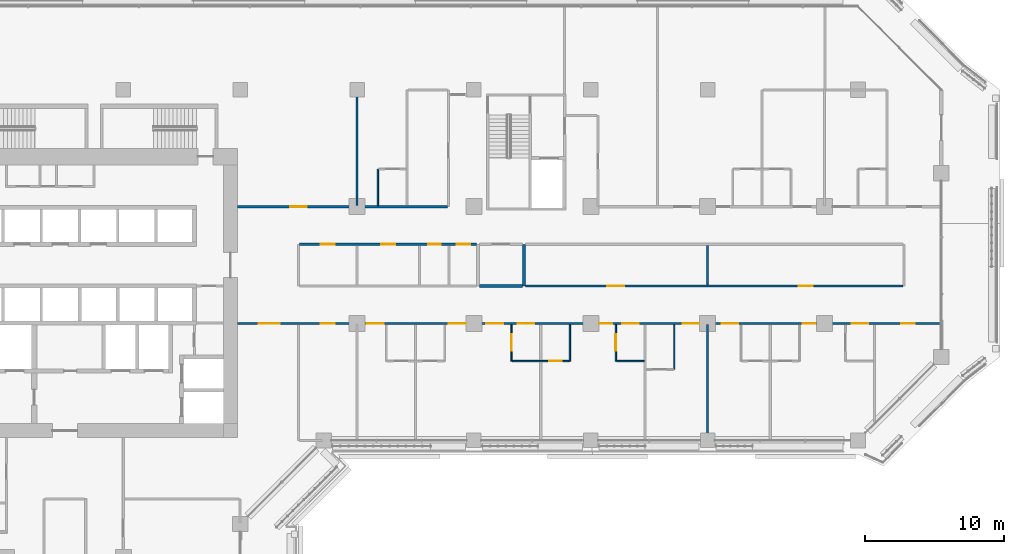
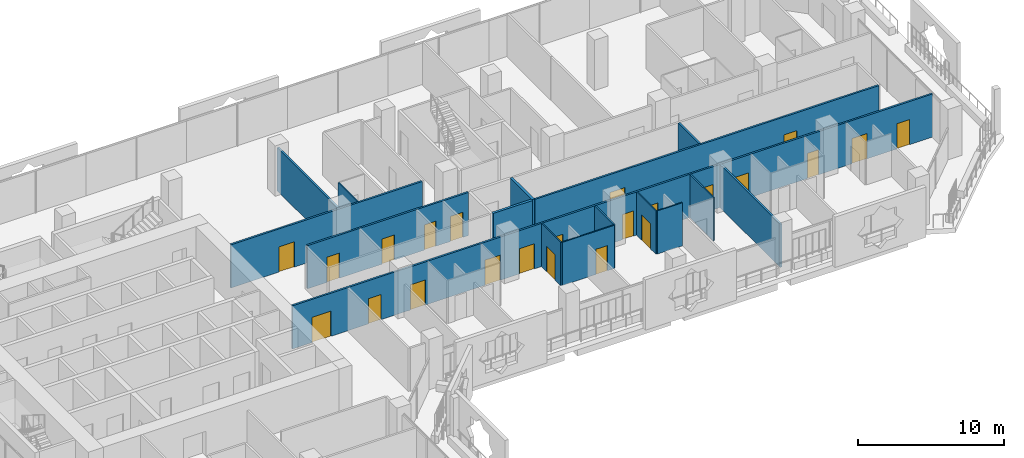
# One storey, part 15 of 26: 23 doors, 16 walls, 23 openings.
"""IFC4 building model written with IfcOpenShell, lengths in metres."""

from ifc_helpers import new_model, si_unit, direction, frame, frame_2d, origin, place, context, subcontext, project, spatial, rectangle, extrude, material, layer, layer_set, type_object, element, fill, save


model = new_model("IFC4")

# Units and contexts
model_context = context("Model", 3, precision=1e-05, world=origin(), true_north=direction((0.0, 1.0)))
body_context = subcontext(model_context, "Body", "Model", "MODEL_VIEW")
ifc_project = project(units=[si_unit("LENGTHUNIT", "METRE"), si_unit("AREAUNIT", "SQUARE_METRE"), si_unit("VOLUMEUNIT", "CUBIC_METRE"), si_unit("PLANEANGLEUNIT", "RADIAN"), si_unit("MASSUNIT", "GRAM", prefix="KILO")], contexts=[model_context])

# Site, building, storey
site_placement = place(None, origin())
site = spatial("IfcSite", under=ifc_project, at=site_placement, CompositionType="ELEMENT")
building_placement = place(site_placement, origin())
building = spatial("IfcBuilding", under=site, at=building_placement, Name="Kawkab Arch Medical Tower", CompositionType="ELEMENT")
storey_placement = place(building_placement, frame((0.0, 0.0, 119.800048828125)))
storey = spatial("IfcBuildingStorey", under=building, at=storey_placement, Name="L27", CompositionType="ELEMENT", Elevation=119.800048828125)

# Wall, opening, door
ifc_material_1 = material(Name="Gypsum board partition on steel studs", Category="steel")
ifc_layer_1 = layer(ifc_material_1, 0.10009765625)
ifc_layer_set_1 = layer_set([ifc_layer_1], Name="Gypsum board partition on steel studs")
wall_type_1 = type_object("IfcWallType", Name="Partition 100", PredefinedType="PARTITIONING", material=ifc_layer_set_1)
wall_1_placement = place(storey_placement, frame((44.75, -19.5, 0.0), z_axis=(0.0, 0.0, 1.0), x_axis=(1.0, 0.0, 0.0)))
wall_1 = element("IfcWall", 1, at=wall_1_placement, inside=storey, type_object=wall_type_1, Name="Partition 100 w007", PredefinedType="PARTITIONING", context=body_context, shape_type="SweptSolid", body=[
    extrude(rectangle(XDim=4.10009765625, YDim=0.10009765625, at=frame_2d((2.050048828125, 0.0))), origin(), (0.0, 0.0, 1.0), 3.599853515625),
])
opening_1_placement = place(wall_1_placement, frame((2.64990234375, 0.0, 0.0)))
opening_1 = element("IfcOpeningElement", 2, at=opening_1_placement, cuts=wall_1, Name="Opening W27-010", PredefinedType="OPENING", context=body_context, shape_type="SweptSolid", body=[
    extrude(rectangle(XDim=0.89990234375, YDim=2.10009765625, at=frame_2d((0.449951171875, 1.050048828125))), frame((0.0, 0.06005859375, 0.0), z_axis=(0.0, -1.0, 0.0), x_axis=(1.0, 0.0, 0.0)), (0.0, 0.0, 1.0), 0.1201171875),
])
ifc_material_2 = material(Name="Timber door leaf", Category="wood")
door_type_1 = type_object("IfcDoorType", Name="Single door 900x2100", OperationType="NOTDEFINED", PredefinedType="DOOR", material=ifc_material_2)
door_1_placement = place(opening_1_placement, origin())
door_1 = element("IfcDoor", 3, at=door_1_placement, inside=storey, type_object=door_type_1, Name="Door W27-010", OperationType="SINGLE_SWING_LEFT", OverallHeight=2.10009765625, OverallWidth=0.89990234375, PredefinedType="DOOR", context=body_context, shape_type="SweptSolid", body=[
    extrude(rectangle(XDim=0.89990234375, YDim=2.10009765625, at=frame_2d((0.449951171875, 1.050048828125))), frame((0.0, 0.02490234375, 0.0), z_axis=(0.0, -1.0, 0.0), x_axis=(1.0, 0.0, 0.0)), (0.0, 0.0, 1.0), 0.050048828125),
])
fill(opening_1, door_1)

# Walls
wall_2_placement = place(storey_placement, frame((52.25, -19.5, 0.0), z_axis=(0.0, 0.0, 1.0), x_axis=(1.0, 0.0, 0.0)))
element("IfcWall", 4, at=wall_2_placement, inside=storey, type_object=wall_type_1, Name="Partition 100 w008", PredefinedType="PARTITIONING", context=body_context, shape_type="SweptSolid", body=[
    extrude(rectangle(XDim=1.97509765625, YDim=0.10009765625, at=frame_2d((0.987548828125, 0.0))), origin(), (0.0, 0.0, 1.0), 3.599853515625),
])
wall_3_placement = place(storey_placement, frame((35.10009765625, -8.324951171875, 0.0), z_axis=(0.0, 0.0, 1.0), x_axis=(0.0, 1.0, 0.0)))
element("IfcWall", 5, at=wall_3_placement, inside=storey, type_object=wall_type_1, Name="Partition 100 w017", PredefinedType="PARTITIONING", context=body_context, shape_type="SweptSolid", body=[
    extrude(rectangle(XDim=2.623046875, YDim=0.10009765625, at=frame_2d((1.3115234375, 0.0))), origin(), (0.0, 0.0, 1.0), 3.599853515625),
])

# Wall, opening, door
wall_4_placement = place(storey_placement, frame((44.699951171875, -19.5, 0.0), z_axis=(0.0, 0.0, 1.0), x_axis=(0.0, 1.0, 0.0)))
wall_4 = element("IfcWall", 6, at=wall_4_placement, inside=storey, type_object=wall_type_1, Name="Partition 100 w020", PredefinedType="PARTITIONING", context=body_context, shape_type="SweptSolid", body=[
    extrude(rectangle(XDim=2.625, YDim=0.10009765625, at=frame_2d((1.3125, 0.0))), origin(), (0.0, 0.0, 1.0), 3.599853515625),
])
opening_2_placement = place(wall_4_placement, frame((0.75, 0.0, 0.0)))
opening_2 = element("IfcOpeningElement", 7, at=opening_2_placement, cuts=wall_4, Name="Opening W27-046", PredefinedType="OPENING", context=body_context, shape_type="SweptSolid", body=[
    extrude(rectangle(XDim=1.199951171875, YDim=2.10009765625, at=frame_2d((0.60009765625, 1.050048828125))), frame((0.0, 0.06005859375, 0.0), z_axis=(0.0, -1.0, 0.0), x_axis=(1.0, 0.0, 0.0)), (0.0, 0.0, 1.0), 0.1201171875),
])
ifc_material_3 = material(Name="Timber door leaf", Category="wood")
door_type_2 = type_object("IfcDoorType", Name="Single door 1200x2100", OperationType="NOTDEFINED", PredefinedType="DOOR", material=ifc_material_3)
door_2_placement = place(opening_2_placement, origin())
door_2 = element("IfcDoor", 8, at=door_2_placement, inside=storey, type_object=door_type_2, Name="Door W27-046", OperationType="SINGLE_SWING_RIGHT", OverallHeight=2.10009765625, OverallWidth=1.199951171875, PredefinedType="DOOR", context=body_context, shape_type="SweptSolid", body=[
    extrude(rectangle(XDim=1.199951171875, YDim=2.10009765625, at=frame_2d((0.60009765625, 1.050048828125))), frame((0.0, 0.02490234375, 0.0), z_axis=(0.0, -1.0, 0.0), x_axis=(1.0, 0.0, 0.0)), (0.0, 0.0, 1.0), 0.050048828125),
])
fill(opening_2, door_2)

# Wall
wall_5_placement = place(storey_placement, frame((48.89990234375, -19.5, 0.0), z_axis=(0.0, 0.0, 1.0), x_axis=(0.0, 1.0, 0.0)))
element("IfcWall", 9, at=wall_5_placement, inside=storey, type_object=wall_type_1, Name="Partition 100 w021", PredefinedType="PARTITIONING", context=body_context, shape_type="SweptSolid", body=[
    extrude(rectangle(XDim=2.625, YDim=0.10009765625, at=frame_2d((1.3125, 0.0))), origin(), (0.0, 0.0, 1.0), 3.599853515625),
])

# Wall, opening, door
wall_6_placement = place(storey_placement, frame((52.199951171875, -19.5, 0.0), z_axis=(0.0, 0.0, 1.0), x_axis=(0.0, 1.0, 0.0)))
wall_6 = element("IfcWall", 10, at=wall_6_placement, inside=storey, type_object=wall_type_1, Name="Partition 100 w022", PredefinedType="PARTITIONING", context=body_context, shape_type="SweptSolid", body=[
    extrude(rectangle(XDim=2.625, YDim=0.10009765625, at=frame_2d((1.3125, 0.0))), origin(), (0.0, 0.0, 1.0), 3.599853515625),
])
opening_3_placement = place(wall_6_placement, frame((0.75, 0.0, 0.0)))
opening_3 = element("IfcOpeningElement", 11, at=opening_3_placement, cuts=wall_6, Name="Opening W27-048", PredefinedType="OPENING", context=body_context, shape_type="SweptSolid", body=[
    extrude(rectangle(XDim=1.199951171875, YDim=2.10009765625, at=frame_2d((0.60009765625, 1.050048828125))), frame((0.0, 0.06005859375, 0.0), z_axis=(0.0, -1.0, 0.0), x_axis=(1.0, 0.0, 0.0)), (0.0, 0.0, 1.0), 0.1201171875),
])
door_3_placement = place(opening_3_placement, origin())
door_3 = element("IfcDoor", 12, at=door_3_placement, inside=storey, type_object=door_type_2, Name="Door W27-048", OperationType="SINGLE_SWING_RIGHT", OverallHeight=2.10009765625, OverallWidth=1.199951171875, PredefinedType="DOOR", context=body_context, shape_type="SweptSolid", body=[
    extrude(rectangle(XDim=1.199951171875, YDim=2.10009765625, at=frame_2d((0.60009765625, 1.050048828125))), frame((0.0, 0.02490234375, 0.0), z_axis=(0.0, -1.0, 0.0), x_axis=(1.0, 0.0, 0.0)), (0.0, 0.0, 1.0), 0.050048828125),
])
fill(opening_3, door_3)

# Wall
wall_7_placement = place(storey_placement, frame((56.39990234375, -20.10009765625, 0.0), z_axis=(0.0, 0.0, 1.0), x_axis=(0.0, 1.0, 0.0)))
element("IfcWall", 13, at=wall_7_placement, inside=storey, type_object=wall_type_1, Name="Partition 100 w023", PredefinedType="PARTITIONING", context=body_context, shape_type="SweptSolid", body=[
    extrude(rectangle(XDim=3.22509765625, YDim=0.10009765625, at=frame_2d((1.612548828125, 0.0))), origin(), (0.0, 0.0, 1.0), 3.599853515625),
])

# Wall, openings, doors
ifc_material_4 = material(Name="Gypsum board partition on steel studs, mineral wool", Category="steel")
ifc_layer_2 = layer(ifc_material_4, 0.14990234375)
ifc_layer_set_2 = layer_set([ifc_layer_2], Name="Gypsum board partition on steel studs, mineral wool")
wall_type_2 = type_object("IfcWallType", Name="Partition 150", PredefinedType="PARTITIONING", material=ifc_layer_set_2)
wall_8_placement = place(storey_placement, frame((25.0, -16.800048828125, 0.0), z_axis=(0.0, 0.0, 1.0), x_axis=(1.0, 0.0, 0.0)))
wall_8 = element("IfcWall", 14, at=wall_8_placement, inside=storey, type_object=wall_type_2, Name="Partition 150 w046", PredefinedType="PARTITIONING", context=body_context, shape_type="SweptSolid", body=[
    extrude(rectangle(XDim=50.52001953125, YDim=0.14990234375, at=frame_2d((25.260009765625, 0.0))), origin(), (0.0, 0.0, 1.0), 3.599853515625),
])
opening_4_placement = place(wall_8_placement, frame((1.550048828125, 0.0, 0.0)))
opening_4 = element("IfcOpeningElement", 15, at=opening_4_placement, cuts=wall_8, Name="Opening W27-001", PredefinedType="OPENING", context=body_context, shape_type="SweptSolid", body=[
    extrude(rectangle(XDim=1.5, YDim=2.10009765625, at=frame_2d((0.75, 1.050048828125))), frame((0.0, 0.0849609375, 0.0), z_axis=(0.0, -1.0, 0.0), x_axis=(1.0, 0.0, 0.0)), (0.0, 0.0, 1.0), 0.169921875),
])
opening_5_placement = place(wall_8_placement, frame((6.0, 0.0, 0.0)))
opening_5 = element("IfcOpeningElement", 16, at=opening_5_placement, cuts=wall_8, Name="Opening W27-028", PredefinedType="OPENING", context=body_context, shape_type="SweptSolid", body=[
    extrude(rectangle(XDim=1.0, YDim=2.10009765625, at=frame_2d((0.5, 1.050048828125))), frame((0.0, 0.0849609375, 0.0), z_axis=(0.0, -1.0, 0.0), x_axis=(1.0, 0.0, 0.0)), (0.0, 0.0, 1.0), 0.169921875),
])
opening_6_placement = place(wall_8_placement, frame((9.300048828125, 0.0, 0.0)))
opening_6 = element("IfcOpeningElement", 17, at=opening_6_placement, cuts=wall_8, Name="Opening W27-042", PredefinedType="OPENING", context=body_context, shape_type="SweptSolid", body=[
    extrude(rectangle(XDim=1.199951171875, YDim=2.10009765625, at=frame_2d((0.60009765625, 1.050048828125))), frame((0.0, 0.0849609375, 0.0), z_axis=(0.0, -1.0, 0.0), x_axis=(1.0, 0.0, 0.0)), (0.0, 0.0, 1.0), 0.169921875),
])
opening_7_placement = place(wall_8_placement, frame((17.89990234375, 0.0, 0.0)))
opening_7 = element("IfcOpeningElement", 18, at=opening_7_placement, cuts=wall_8, Name="Opening W27-043", PredefinedType="OPENING", context=body_context, shape_type="SweptSolid", body=[
    extrude(rectangle(XDim=1.199951171875, YDim=2.10009765625, at=frame_2d((0.60009765625, 1.050048828125))), frame((0.0, 0.0849609375, 0.0), z_axis=(0.0, -1.0, 0.0), x_axis=(1.0, 0.0, 0.0)), (0.0, 0.0, 1.0), 0.169921875),
])
opening_8_placement = place(wall_8_placement, frame((15.199951171875, 0.0, 0.0)))
opening_8 = element("IfcOpeningElement", 19, at=opening_8_placement, cuts=wall_8, Name="Opening W27-044", PredefinedType="OPENING", context=body_context, shape_type="SweptSolid", body=[
    extrude(rectangle(XDim=1.199951171875, YDim=2.10009765625, at=frame_2d((0.60009765625, 1.050048828125))), frame((0.0, 0.0849609375, 0.0), z_axis=(0.0, -1.0, 0.0), x_axis=(1.0, 0.0, 0.0)), (0.0, 0.0, 1.0), 0.169921875),
])
opening_9_placement = place(wall_8_placement, frame((20.14990234375, 0.0, 0.0)))
opening_9 = element("IfcOpeningElement", 20, at=opening_9_placement, cuts=wall_8, Name="Opening W27-045", PredefinedType="OPENING", context=body_context, shape_type="SweptSolid", body=[
    extrude(rectangle(XDim=1.199951171875, YDim=2.10009765625, at=frame_2d((0.60009765625, 1.050048828125))), frame((0.0, 0.0849609375, 0.0), z_axis=(0.0, -1.0, 0.0), x_axis=(1.0, 0.0, 0.0)), (0.0, 0.0, 1.0), 0.169921875),
])
opening_10_placement = place(wall_8_placement, frame((26.02490234375, 0.0, 0.0)))
opening_10 = element("IfcOpeningElement", 21, at=opening_10_placement, cuts=wall_8, Name="Opening W27-020", PredefinedType="OPENING", context=body_context, shape_type="SweptSolid", body=[
    extrude(rectangle(XDim=0.89990234375, YDim=2.10009765625, at=frame_2d((0.449951171875, 1.050048828125))), frame((0.0, 0.0849609375, 0.0), z_axis=(0.0, -1.0, 0.0), x_axis=(1.0, 0.0, 0.0)), (0.0, 0.0, 1.0), 0.169921875),
])
opening_11_placement = place(wall_8_placement, frame((27.64990234375, 0.0, 0.0)))
opening_11 = element("IfcOpeningElement", 22, at=opening_11_placement, cuts=wall_8, Name="Opening W27-047", PredefinedType="OPENING", context=body_context, shape_type="SweptSolid", body=[
    extrude(rectangle(XDim=1.199951171875, YDim=2.10009765625, at=frame_2d((0.60009765625, 1.050048828125))), frame((0.0, 0.0849609375, 0.0), z_axis=(0.0, -1.0, 0.0), x_axis=(1.0, 0.0, 0.0)), (0.0, 0.0, 1.0), 0.169921875),
])
opening_12_placement = place(wall_8_placement, frame((32.0, 0.0, 0.0)))
opening_12 = element("IfcOpeningElement", 23, at=opening_12_placement, cuts=wall_8, Name="Opening W27-049", PredefinedType="OPENING", context=body_context, shape_type="SweptSolid", body=[
    extrude(rectangle(XDim=1.199951171875, YDim=2.10009765625, at=frame_2d((0.60009765625, 1.050048828125))), frame((0.0, 0.0849609375, 0.0), z_axis=(0.0, -1.0, 0.0), x_axis=(1.0, 0.0, 0.0)), (0.0, 0.0, 1.0), 0.169921875),
])
opening_13_placement = place(wall_8_placement, frame((34.800048828125, 0.0, 0.0)))
opening_13 = element("IfcOpeningElement", 24, at=opening_13_placement, cuts=wall_8, Name="Opening W27-050", PredefinedType="OPENING", context=body_context, shape_type="SweptSolid", body=[
    extrude(rectangle(XDim=1.199951171875, YDim=2.10009765625, at=frame_2d((0.60009765625, 1.050048828125))), frame((0.0, 0.0849609375, 0.0), z_axis=(0.0, -1.0, 0.0), x_axis=(1.0, 0.0, 0.0)), (0.0, 0.0, 1.0), 0.169921875),
])
opening_14_placement = place(wall_8_placement, frame((40.625, 0.0, 0.0)))
opening_14 = element("IfcOpeningElement", 25, at=opening_14_placement, cuts=wall_8, Name="Opening W27-021", PredefinedType="OPENING", context=body_context, shape_type="SweptSolid", body=[
    extrude(rectangle(XDim=0.89990234375, YDim=2.10009765625, at=frame_2d((0.449951171875, 1.050048828125))), frame((0.0, 0.0849609375, 0.0), z_axis=(0.0, -1.0, 0.0), x_axis=(1.0, 0.0, 0.0)), (0.0, 0.0, 1.0), 0.169921875),
])
opening_15_placement = place(wall_8_placement, frame((44.14990234375, 0.0, 0.0)))
opening_15 = element("IfcOpeningElement", 26, at=opening_15_placement, cuts=wall_8, Name="Opening W27-051", PredefinedType="OPENING", context=body_context, shape_type="SweptSolid", body=[
    extrude(rectangle(XDim=1.199951171875, YDim=2.10009765625, at=frame_2d((0.60009765625, 1.050048828125))), frame((0.0, 0.0849609375, 0.0), z_axis=(0.0, -1.0, 0.0), x_axis=(1.0, 0.0, 0.0)), (0.0, 0.0, 1.0), 0.169921875),
])
opening_16_placement = place(wall_8_placement, frame((47.699951171875, 0.0, 0.0)))
opening_16 = element("IfcOpeningElement", 27, at=opening_16_placement, cuts=wall_8, Name="Opening W27-029", PredefinedType="OPENING", context=body_context, shape_type="SweptSolid", body=[
    extrude(rectangle(XDim=1.0, YDim=2.10009765625, at=frame_2d((0.5, 1.050048828125))), frame((0.0, 0.0849609375, 0.0), z_axis=(0.0, -1.0, 0.0), x_axis=(1.0, 0.0, 0.0)), (0.0, 0.0, 1.0), 0.169921875),
])
ifc_material_5 = material(Name="Hollow metal door leaf")
door_type_3 = type_object("IfcDoorType", Name="Double door 1500x2100 FD30S", OperationType="NOTDEFINED", PredefinedType="DOOR", material=ifc_material_5)
door_4_placement = place(opening_4_placement, origin())
door_4 = element("IfcDoor", 28, at=door_4_placement, inside=storey, type_object=door_type_3, Name="Door W27-001", OperationType="DOUBLE_DOOR_SINGLE_SWING", OverallHeight=2.10009765625, OverallWidth=1.5, PredefinedType="DOOR", context=body_context, shape_type="SweptSolid", body=[
    extrude(rectangle(XDim=1.5, YDim=2.10009765625, at=frame_2d((0.75, 1.050048828125))), frame((0.0, 0.02490234375, 0.0), z_axis=(0.0, -1.0, 0.0), x_axis=(1.0, 0.0, 0.0)), (0.0, 0.0, 1.0), 0.050048828125),
])
fill(opening_4, door_4)
ifc_material_6 = material(Name="Hollow metal door leaf")
door_type_4 = type_object("IfcDoorType", Name="Single door 1000x2100 FD30S", OperationType="NOTDEFINED", PredefinedType="DOOR", material=ifc_material_6)
door_5_placement = place(opening_5_placement, origin())
door_5 = element("IfcDoor", 29, at=door_5_placement, inside=storey, type_object=door_type_4, Name="Door W27-028", OperationType="SINGLE_SWING_RIGHT", OverallHeight=2.10009765625, OverallWidth=1.0, PredefinedType="DOOR", context=body_context, shape_type="SweptSolid", body=[
    extrude(rectangle(XDim=1.0, YDim=2.10009765625, at=frame_2d((0.5, 1.050048828125))), frame((0.0, 0.02490234375, 0.0), z_axis=(0.0, -1.0, 0.0), x_axis=(1.0, 0.0, 0.0)), (0.0, 0.0, 1.0), 0.050048828125),
])
fill(opening_5, door_5)
door_6_placement = place(opening_16_placement, origin())
door_6 = element("IfcDoor", 30, at=door_6_placement, inside=storey, type_object=door_type_4, Name="Door W27-029", OperationType="SINGLE_SWING_LEFT", OverallHeight=2.10009765625, OverallWidth=1.0, PredefinedType="DOOR", context=body_context, shape_type="SweptSolid", body=[
    extrude(rectangle(XDim=1.0, YDim=2.10009765625, at=frame_2d((0.5, 1.050048828125))), frame((0.0, 0.02490234375, 0.0), z_axis=(0.0, -1.0, 0.0), x_axis=(1.0, 0.0, 0.0)), (0.0, 0.0, 1.0), 0.050048828125),
])
fill(opening_16, door_6)
ifc_material_7 = material(Name="Hollow metal door leaf")
door_type_5 = type_object("IfcDoorType", Name="Single door 1200x2100 FD30S", OperationType="NOTDEFINED", PredefinedType="DOOR", material=ifc_material_7)
door_7_placement = place(opening_6_placement, origin())
door_7 = element("IfcDoor", 31, at=door_7_placement, inside=storey, type_object=door_type_5, Name="Door W27-042", OperationType="SINGLE_SWING_RIGHT", OverallHeight=2.10009765625, OverallWidth=1.199951171875, PredefinedType="DOOR", context=body_context, shape_type="SweptSolid", body=[
    extrude(rectangle(XDim=1.199951171875, YDim=2.10009765625, at=frame_2d((0.60009765625, 1.050048828125))), frame((0.0, 0.02490234375, 0.0), z_axis=(0.0, -1.0, 0.0), x_axis=(1.0, 0.0, 0.0)), (0.0, 0.0, 1.0), 0.050048828125),
])
fill(opening_6, door_7)
door_8_placement = place(opening_7_placement, origin())
door_8 = element("IfcDoor", 32, at=door_8_placement, inside=storey, type_object=door_type_5, Name="Door W27-043", OperationType="SINGLE_SWING_RIGHT", OverallHeight=2.10009765625, OverallWidth=1.199951171875, PredefinedType="DOOR", context=body_context, shape_type="SweptSolid", body=[
    extrude(rectangle(XDim=1.199951171875, YDim=2.10009765625, at=frame_2d((0.60009765625, 1.050048828125))), frame((0.0, 0.02490234375, 0.0), z_axis=(0.0, -1.0, 0.0), x_axis=(1.0, 0.0, 0.0)), (0.0, 0.0, 1.0), 0.050048828125),
])
fill(opening_7, door_8)
door_9_placement = place(opening_8_placement, origin())
door_9 = element("IfcDoor", 33, at=door_9_placement, inside=storey, type_object=door_type_5, Name="Door W27-044", OperationType="SINGLE_SWING_RIGHT", OverallHeight=2.10009765625, OverallWidth=1.199951171875, PredefinedType="DOOR", context=body_context, shape_type="SweptSolid", body=[
    extrude(rectangle(XDim=1.199951171875, YDim=2.10009765625, at=frame_2d((0.60009765625, 1.050048828125))), frame((0.0, 0.02490234375, 0.0), z_axis=(0.0, -1.0, 0.0), x_axis=(1.0, 0.0, 0.0)), (0.0, 0.0, 1.0), 0.050048828125),
])
fill(opening_8, door_9)
door_10_placement = place(opening_9_placement, origin())
door_10 = element("IfcDoor", 34, at=door_10_placement, inside=storey, type_object=door_type_5, Name="Door W27-045", OperationType="SINGLE_SWING_RIGHT", OverallHeight=2.10009765625, OverallWidth=1.199951171875, PredefinedType="DOOR", context=body_context, shape_type="SweptSolid", body=[
    extrude(rectangle(XDim=1.199951171875, YDim=2.10009765625, at=frame_2d((0.60009765625, 1.050048828125))), frame((0.0, 0.02490234375, 0.0), z_axis=(0.0, -1.0, 0.0), x_axis=(1.0, 0.0, 0.0)), (0.0, 0.0, 1.0), 0.050048828125),
])
fill(opening_9, door_10)
door_11_placement = place(opening_11_placement, origin())
door_11 = element("IfcDoor", 35, at=door_11_placement, inside=storey, type_object=door_type_5, Name="Door W27-047", OperationType="SINGLE_SWING_LEFT", OverallHeight=2.10009765625, OverallWidth=1.199951171875, PredefinedType="DOOR", context=body_context, shape_type="SweptSolid", body=[
    extrude(rectangle(XDim=1.199951171875, YDim=2.10009765625, at=frame_2d((0.60009765625, 1.050048828125))), frame((0.0, 0.02490234375, 0.0), z_axis=(0.0, -1.0, 0.0), x_axis=(1.0, 0.0, 0.0)), (0.0, 0.0, 1.0), 0.050048828125),
])
fill(opening_11, door_11)
door_12_placement = place(opening_12_placement, origin())
door_12 = element("IfcDoor", 36, at=door_12_placement, inside=storey, type_object=door_type_5, Name="Door W27-049", OperationType="SINGLE_SWING_LEFT", OverallHeight=2.10009765625, OverallWidth=1.199951171875, PredefinedType="DOOR", context=body_context, shape_type="SweptSolid", body=[
    extrude(rectangle(XDim=1.199951171875, YDim=2.10009765625, at=frame_2d((0.60009765625, 1.050048828125))), frame((0.0, 0.02490234375, 0.0), z_axis=(0.0, -1.0, 0.0), x_axis=(1.0, 0.0, 0.0)), (0.0, 0.0, 1.0), 0.050048828125),
])
fill(opening_12, door_12)
door_13_placement = place(opening_13_placement, origin())
door_13 = element("IfcDoor", 37, at=door_13_placement, inside=storey, type_object=door_type_5, Name="Door W27-050", OperationType="SINGLE_SWING_LEFT", OverallHeight=2.10009765625, OverallWidth=1.199951171875, PredefinedType="DOOR", context=body_context, shape_type="SweptSolid", body=[
    extrude(rectangle(XDim=1.199951171875, YDim=2.10009765625, at=frame_2d((0.60009765625, 1.050048828125))), frame((0.0, 0.02490234375, 0.0), z_axis=(0.0, -1.0, 0.0), x_axis=(1.0, 0.0, 0.0)), (0.0, 0.0, 1.0), 0.050048828125),
])
fill(opening_13, door_13)
door_14_placement = place(opening_15_placement, origin())
door_14 = element("IfcDoor", 38, at=door_14_placement, inside=storey, type_object=door_type_5, Name="Door W27-051", OperationType="SINGLE_SWING_LEFT", OverallHeight=2.10009765625, OverallWidth=1.199951171875, PredefinedType="DOOR", context=body_context, shape_type="SweptSolid", body=[
    extrude(rectangle(XDim=1.199951171875, YDim=2.10009765625, at=frame_2d((0.60009765625, 1.050048828125))), frame((0.0, 0.02490234375, 0.0), z_axis=(0.0, -1.0, 0.0), x_axis=(1.0, 0.0, 0.0)), (0.0, 0.0, 1.0), 0.050048828125),
])
fill(opening_15, door_14)
ifc_material_8 = material(Name="Hollow metal door leaf")
door_type_6 = type_object("IfcDoorType", Name="Single door 900x2100 FD30S", OperationType="NOTDEFINED", PredefinedType="DOOR", material=ifc_material_8)
door_15_placement = place(opening_10_placement, origin())
door_15 = element("IfcDoor", 39, at=door_15_placement, inside=storey, type_object=door_type_6, Name="Door W27-020", OperationType="SINGLE_SWING_LEFT", OverallHeight=2.10009765625, OverallWidth=0.89990234375, PredefinedType="DOOR", context=body_context, shape_type="SweptSolid", body=[
    extrude(rectangle(XDim=0.89990234375, YDim=2.10009765625, at=frame_2d((0.449951171875, 1.050048828125))), frame((0.0, 0.02490234375, 0.0), z_axis=(0.0, -1.0, 0.0), x_axis=(1.0, 0.0, 0.0)), (0.0, 0.0, 1.0), 0.050048828125),
])
fill(opening_10, door_15)
door_16_placement = place(opening_14_placement, origin())
door_16 = element("IfcDoor", 40, at=door_16_placement, inside=storey, type_object=door_type_6, Name="Door W27-021", OperationType="SINGLE_SWING_LEFT", OverallHeight=2.10009765625, OverallWidth=0.89990234375, PredefinedType="DOOR", context=body_context, shape_type="SweptSolid", body=[
    extrude(rectangle(XDim=0.89990234375, YDim=2.10009765625, at=frame_2d((0.449951171875, 1.050048828125))), frame((0.0, 0.02490234375, 0.0), z_axis=(0.0, -1.0, 0.0), x_axis=(1.0, 0.0, 0.0)), (0.0, 0.0, 1.0), 0.050048828125),
])
fill(opening_14, door_16)

wall_9_placement = place(storey_placement, frame((45.699951171875, -14.10009765625, 0.0), z_axis=(0.0, 0.0, 1.0), x_axis=(1.0, 0.0, 0.0)))
wall_9 = element("IfcWall", 41, at=wall_9_placement, inside=storey, type_object=wall_type_2, Name="Partition 150 w048", PredefinedType="PARTITIONING", context=body_context, shape_type="SweptSolid", body=[
    extrude(rectangle(XDim=27.125, YDim=0.14990234375, at=frame_2d((13.5625, 0.0))), origin(), (0.0, 0.0, 1.0), 3.599853515625),
])
opening_17_placement = place(wall_9_placement, frame((5.89990234375, 0.0, 0.0)))
opening_17 = element("IfcOpeningElement", 42, at=opening_17_placement, cuts=wall_9, Name="Opening W27-041", PredefinedType="OPENING", context=body_context, shape_type="SweptSolid", body=[
    extrude(rectangle(XDim=1.199951171875, YDim=2.10009765625, at=frame_2d((0.60009765625, 1.050048828125))), frame((0.0, 0.0849609375, 0.0), z_axis=(0.0, -1.0, 0.0), x_axis=(1.0, 0.0, 0.0)), (0.0, 0.0, 1.0), 0.169921875),
])
opening_18_placement = place(wall_9_placement, frame((19.64990234375, 0.0, 0.0)))
opening_18 = element("IfcOpeningElement", 43, at=opening_18_placement, cuts=wall_9, Name="Opening W27-027", PredefinedType="OPENING", context=body_context, shape_type="SweptSolid", body=[
    extrude(rectangle(XDim=1.0, YDim=2.10009765625, at=frame_2d((0.5, 1.050048828125))), frame((0.0, 0.0849609375, 0.0), z_axis=(0.0, -1.0, 0.0), x_axis=(1.0, 0.0, 0.0)), (0.0, 0.0, 1.0), 0.169921875),
])
door_17_placement = place(opening_18_placement, origin())
door_17 = element("IfcDoor", 44, at=door_17_placement, inside=storey, type_object=door_type_4, Name="Door W27-027", OperationType="SINGLE_SWING_RIGHT", OverallHeight=2.10009765625, OverallWidth=1.0, PredefinedType="DOOR", context=body_context, shape_type="SweptSolid", body=[
    extrude(rectangle(XDim=1.0, YDim=2.10009765625, at=frame_2d((0.5, 1.050048828125))), frame((0.0, 0.02490234375, 0.0), z_axis=(0.0, -1.0, 0.0), x_axis=(1.0, 0.0, 0.0)), (0.0, 0.0, 1.0), 0.050048828125),
])
fill(opening_18, door_17)
door_18_placement = place(opening_17_placement, origin())
door_18 = element("IfcDoor", 45, at=door_18_placement, inside=storey, type_object=door_type_5, Name="Door W27-041", OperationType="SINGLE_SWING_LEFT", OverallHeight=2.10009765625, OverallWidth=1.199951171875, PredefinedType="DOOR", context=body_context, shape_type="SweptSolid", body=[
    extrude(rectangle(XDim=1.199951171875, YDim=2.10009765625, at=frame_2d((0.60009765625, 1.050048828125))), frame((0.0, 0.02490234375, 0.0), z_axis=(0.0, -1.0, 0.0), x_axis=(1.0, 0.0, 0.0)), (0.0, 0.0, 1.0), 0.050048828125),
])
fill(opening_17, door_18)

wall_10_placement = place(storey_placement, frame((29.47509765625, -11.10009765625, 0.0), z_axis=(0.0, 0.0, 1.0), x_axis=(1.0, 0.0, 0.0)))
wall_10 = element("IfcWall", 46, at=wall_10_placement, inside=storey, type_object=wall_type_2, Name="Partition 150 w049", PredefinedType="PARTITIONING", context=body_context, shape_type="SweptSolid", body=[
    extrude(rectangle(XDim=12.724853515625, YDim=0.14990234375, at=frame_2d((6.3623046875, 0.0))), origin(), (0.0, 0.0, 1.0), 3.599853515625),
])
opening_19_placement = place(wall_10_placement, frame((1.52490234375, 0.0, 0.0)))
opening_19 = element("IfcOpeningElement", 47, at=opening_19_placement, cuts=wall_10, Name="Opening W27-026", PredefinedType="OPENING", context=body_context, shape_type="SweptSolid", body=[
    extrude(rectangle(XDim=1.0, YDim=2.10009765625, at=frame_2d((0.5, 1.050048828125))), frame((0.0, 0.0849609375, 0.0), z_axis=(0.0, -1.0, 0.0), x_axis=(1.0, 0.0, 0.0)), (0.0, 0.0, 1.0), 0.169921875),
])
opening_20_placement = place(wall_10_placement, frame((9.22509765625, 0.0, 0.0)))
opening_20 = element("IfcOpeningElement", 48, at=opening_20_placement, cuts=wall_10, Name="Opening W27-017", PredefinedType="OPENING", context=body_context, shape_type="SweptSolid", body=[
    extrude(rectangle(XDim=0.89990234375, YDim=2.10009765625, at=frame_2d((0.449951171875, 1.050048828125))), frame((0.0, 0.0849609375, 0.0), z_axis=(0.0, -1.0, 0.0), x_axis=(1.0, 0.0, 0.0)), (0.0, 0.0, 1.0), 0.169921875),
])
opening_21_placement = place(wall_10_placement, frame((11.27490234375, 0.0, 0.0)))
opening_21 = element("IfcOpeningElement", 49, at=opening_21_placement, cuts=wall_10, Name="Opening W27-022", PredefinedType="OPENING", context=body_context, shape_type="SweptSolid", body=[
    extrude(rectangle(XDim=1.0, YDim=2.10009765625, at=frame_2d((0.5, 1.050048828125))), frame((0.0, 0.0849609375, 0.0), z_axis=(0.0, -1.0, 0.0), x_axis=(1.0, 0.0, 0.0)), (0.0, 0.0, 1.0), 0.169921875),
])
opening_22_placement = place(wall_10_placement, frame((5.875, 0.0, 0.0)))
opening_22 = element("IfcOpeningElement", 50, at=opening_22_placement, cuts=wall_10, Name="Opening W27-036", PredefinedType="OPENING", context=body_context, shape_type="SweptSolid", body=[
    extrude(rectangle(XDim=1.0, YDim=2.10009765625, at=frame_2d((0.5, 1.050048828125))), frame((0.0, 0.0849609375, 0.0), z_axis=(0.0, -1.0, 0.0), x_axis=(1.0, 0.0, 0.0)), (0.0, 0.0, 1.0), 0.169921875),
])
ifc_material_9 = material(Name="Timber door leaf", Category="wood")
door_type_7 = type_object("IfcDoorType", Name="Single door 1000x2100", OperationType="NOTDEFINED", PredefinedType="DOOR", material=ifc_material_9)
door_19_placement = place(opening_21_placement, origin())
door_19 = element("IfcDoor", 51, at=door_19_placement, inside=storey, type_object=door_type_7, Name="Door W27-022", OperationType="SINGLE_SWING_LEFT", OverallHeight=2.10009765625, OverallWidth=1.0, PredefinedType="DOOR", context=body_context, shape_type="SweptSolid", body=[
    extrude(rectangle(XDim=1.0, YDim=2.10009765625, at=frame_2d((0.5, 1.050048828125))), frame((0.0, 0.02490234375, 0.0), z_axis=(0.0, -1.0, 0.0), x_axis=(1.0, 0.0, 0.0)), (0.0, 0.0, 1.0), 0.050048828125),
])
fill(opening_21, door_19)
door_20_placement = place(opening_19_placement, origin())
door_20 = element("IfcDoor", 52, at=door_20_placement, inside=storey, type_object=door_type_4, Name="Door W27-026", OperationType="SINGLE_SWING_RIGHT", OverallHeight=2.10009765625, OverallWidth=1.0, PredefinedType="DOOR", context=body_context, shape_type="SweptSolid", body=[
    extrude(rectangle(XDim=1.0, YDim=2.10009765625, at=frame_2d((0.5, 1.050048828125))), frame((0.0, 0.02490234375, 0.0), z_axis=(0.0, -1.0, 0.0), x_axis=(1.0, 0.0, 0.0)), (0.0, 0.0, 1.0), 0.050048828125),
])
fill(opening_19, door_20)
door_21_placement = place(opening_22_placement, origin())
door_21 = element("IfcDoor", 53, at=door_21_placement, inside=storey, type_object=door_type_4, Name="Door W27-036", OperationType="SINGLE_SWING_LEFT", OverallHeight=2.10009765625, OverallWidth=1.0, PredefinedType="DOOR", context=body_context, shape_type="SweptSolid", body=[
    extrude(rectangle(XDim=1.0, YDim=2.10009765625, at=frame_2d((0.5, 1.050048828125))), frame((0.0, 0.02490234375, 0.0), z_axis=(0.0, -1.0, 0.0), x_axis=(1.0, 0.0, 0.0)), (0.0, 0.0, 1.0), 0.050048828125),
])
fill(opening_22, door_21)
door_22_placement = place(opening_20_placement, origin())
door_22 = element("IfcDoor", 54, at=door_22_placement, inside=storey, type_object=door_type_1, Name="Door W27-017", OperationType="SINGLE_SWING_LEFT", OverallHeight=2.10009765625, OverallWidth=0.89990234375, PredefinedType="DOOR", context=body_context, shape_type="SweptSolid", body=[
    extrude(rectangle(XDim=0.89990234375, YDim=2.10009765625, at=frame_2d((0.449951171875, 1.050048828125))), frame((0.0, 0.02490234375, 0.0), z_axis=(0.0, -1.0, 0.0), x_axis=(1.0, 0.0, 0.0)), (0.0, 0.0, 1.0), 0.050048828125),
])
fill(opening_20, door_22)

# Wall, opening, door
wall_11_placement = place(storey_placement, frame((25.0, -8.39990234375, 0.0), z_axis=(0.0, 0.0, 1.0), x_axis=(1.0, 0.0, 0.0)))
wall_11 = element("IfcWall", 55, at=wall_11_placement, inside=storey, type_object=wall_type_2, Name="Partition 150 w051", PredefinedType="PARTITIONING", context=body_context, shape_type="SweptSolid", body=[
    extrude(rectangle(XDim=15.10693359375, YDim=0.14990234375, at=frame_2d((7.553466796875, 0.0))), origin(), (0.0, 0.0, 1.0), 3.599853515625),
])
opening_23_placement = place(wall_11_placement, frame((3.800048828125, 0.0, 0.0)))
opening_23 = element("IfcOpeningElement", 56, at=opening_23_placement, cuts=wall_11, Name="Opening W27-037", PredefinedType="OPENING", context=body_context, shape_type="SweptSolid", body=[
    extrude(rectangle(XDim=1.199951171875, YDim=2.10009765625, at=frame_2d((0.60009765625, 1.050048828125))), frame((0.0, 0.0849609375, 0.0), z_axis=(0.0, -1.0, 0.0), x_axis=(1.0, 0.0, 0.0)), (0.0, 0.0, 1.0), 0.169921875),
])
door_23_placement = place(opening_23_placement, origin())
door_23 = element("IfcDoor", 57, at=door_23_placement, inside=storey, type_object=door_type_5, Name="Door W27-037", OperationType="SINGLE_SWING_LEFT", OverallHeight=2.10009765625, OverallWidth=1.199951171875, PredefinedType="DOOR", context=body_context, shape_type="SweptSolid", body=[
    extrude(rectangle(XDim=1.199951171875, YDim=2.10009765625, at=frame_2d((0.60009765625, 1.050048828125))), frame((0.0, 0.02490234375, 0.0), z_axis=(0.0, -1.0, 0.0), x_axis=(1.0, 0.0, 0.0)), (0.0, 0.0, 1.0), 0.050048828125),
])
fill(opening_23, door_23)

# Walls
wall_12_placement = place(storey_placement, frame((33.60009765625, -8.324951171875, 0.0), z_axis=(0.0, 0.0, 1.0), x_axis=(0.0, 1.0, 0.0)))
element("IfcWall", 58, at=wall_12_placement, inside=storey, type_object=wall_type_2, Name="Partition 150 w069", PredefinedType="PARTITIONING", context=body_context, shape_type="SweptSolid", body=[
    extrude(rectangle(XDim=8.322021484375, YDim=0.14990234375, at=frame_2d((4.1611328125, 0.0))), origin(), (0.0, 0.0, 1.0), 3.599853515625),
])
wall_13_placement = place(storey_placement, frame((58.800048828125, -25.1201171875, 0.0), z_axis=(0.0, 0.0, 1.0), x_axis=(0.0, 1.0, 0.0)))
element("IfcWall", 59, at=wall_13_placement, inside=storey, type_object=wall_type_2, Name="Partition 150 w082", PredefinedType="PARTITIONING", context=body_context, shape_type="SweptSolid", body=[
    extrude(rectangle(XDim=8.2451171875, YDim=0.14990234375, at=frame_2d((4.12255859375, 0.0))), origin(), (0.0, 0.0, 1.0), 3.599853515625),
])
wall_14_placement = place(storey_placement, frame((58.800048828125, -14.02490234375, 0.0), z_axis=(0.0, 0.0, 1.0), x_axis=(0.0, 1.0, 0.0)))
element("IfcWall", 60, at=wall_14_placement, inside=storey, type_object=wall_type_2, Name="Partition 150 w083", PredefinedType="PARTITIONING", context=body_context, shape_type="SweptSolid", body=[
    extrude(rectangle(XDim=2.849853515625, YDim=0.14990234375, at=frame_2d((1.4248046875, 0.0))), origin(), (0.0, 0.0, 1.0), 3.599853515625),
])
ifc_material_10 = material(Name="Fire-rated gypsum board partition on steel studs", Category="steel")
ifc_layer_3 = layer(ifc_material_10, 0.199951171875)
ifc_layer_set_3 = layer_set([ifc_layer_3], Name="Fire-rated gypsum board partition on steel studs")
wall_type_3 = type_object("IfcWallType", Name="Protected partition 200", PredefinedType="PARTITIONING", material=ifc_layer_set_3)
wall_15_placement = place(storey_placement, frame((42.39990234375, -14.10009765625, 0.0), z_axis=(0.0, 0.0, 1.0), x_axis=(1.0, 0.0, 0.0)))
element("IfcWall", 61, at=wall_15_placement, inside=storey, type_object=wall_type_3, Name="Protected partition 200 w091", PredefinedType="PARTITIONING", context=body_context, shape_type="SweptSolid", body=[
    extrude(rectangle(XDim=3.10009765625, YDim=0.199951171875, at=frame_2d((1.550048828125, 0.0))), origin(), (0.0, 0.0, 1.0), 3.599853515625),
])
wall_16_placement = place(storey_placement, frame((45.60009765625, -14.10009765625, 0.0), z_axis=(0.0, 0.0, 1.0), x_axis=(0.0, 1.0, 0.0)))
element("IfcWall", 62, at=wall_16_placement, inside=storey, type_object=wall_type_3, Name="Protected partition 200 w094", PredefinedType="PARTITIONING", context=body_context, shape_type="SweptSolid", body=[
    extrude(rectangle(XDim=3.0, YDim=0.199951171875, at=frame_2d((1.5, 0.0))), origin(), (0.0, 0.0, 1.0), 3.599853515625),
])

save(model, "model.ifc")
